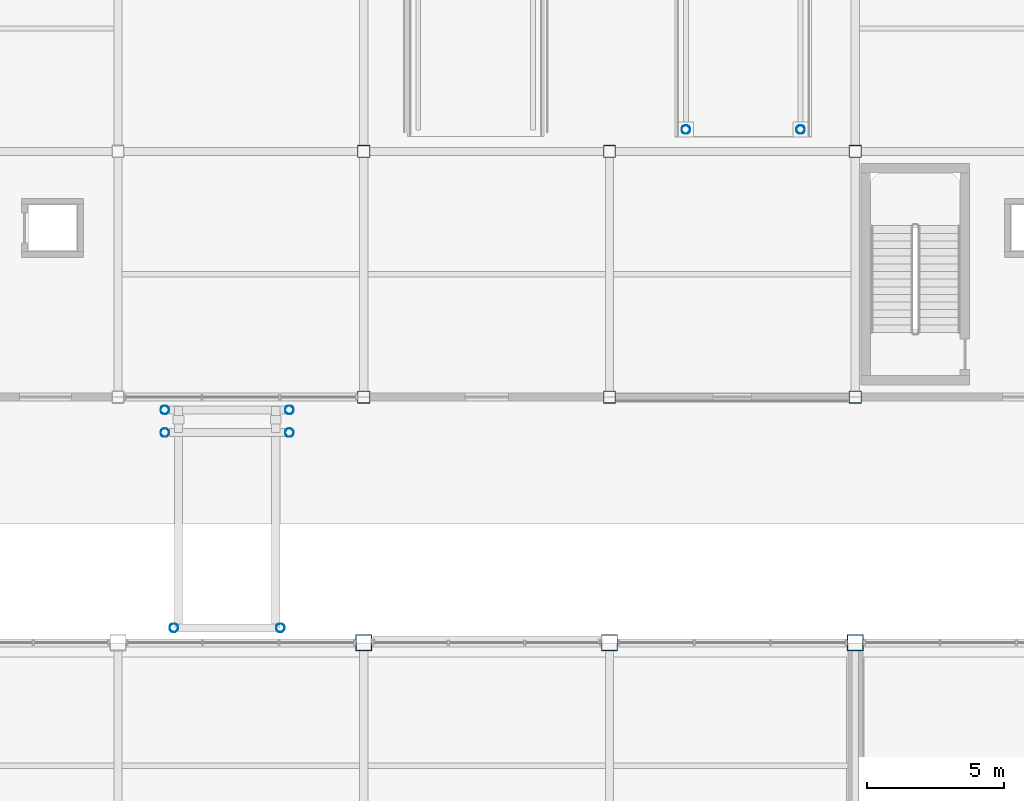
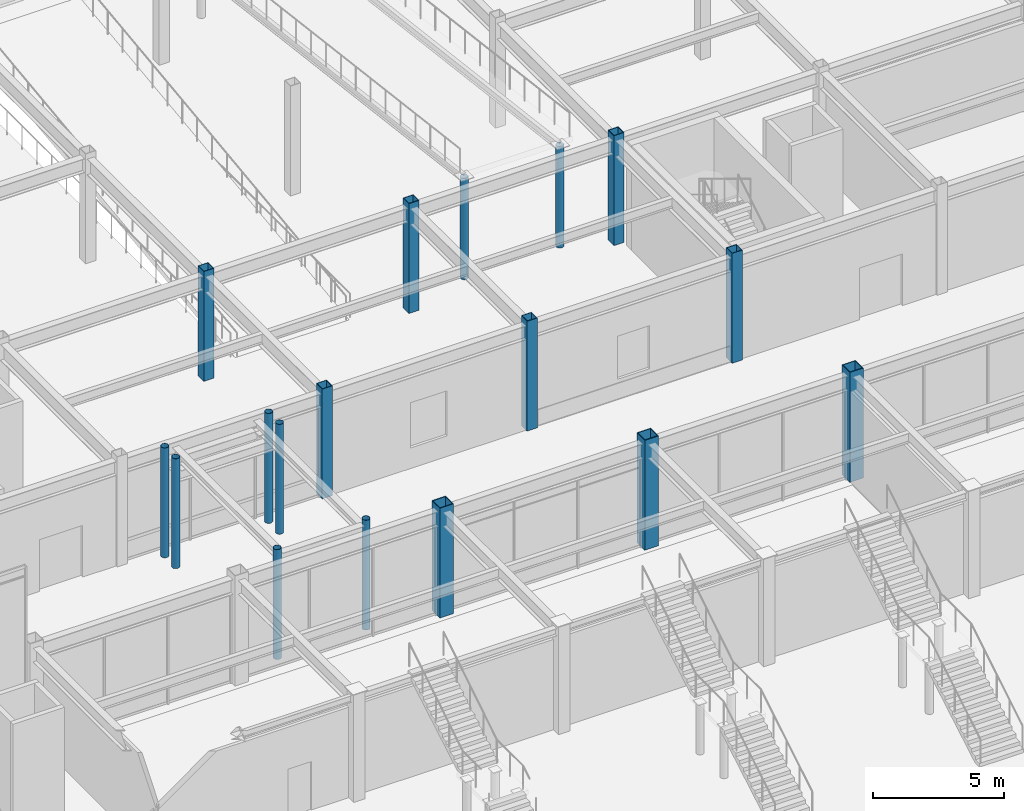
# One storey, part 18 of 123: 17 columns.
"""IFC4 building model written with IfcOpenShell, lengths in metres."""

from ifc_helpers import new_model, si_unit, direction, frame, origin, origin_2d, place, context, subcontext, project, spatial, hollow_rectangle, hollow_circle, extrude, material, material_profile, profile_set, type_object, element, save


model = new_model("IFC4")

# Units and contexts
model_context = context("Model", 3, precision=1e-05, world=origin(), true_north=direction((0.0, 1.0)))
body_context = subcontext(model_context, "Body", "Model", "MODEL_VIEW")
ifc_project = project(units=[si_unit("LENGTHUNIT", "METRE"), si_unit("AREAUNIT", "SQUARE_METRE"), si_unit("VOLUMEUNIT", "CUBIC_METRE"), si_unit("PLANEANGLEUNIT", "RADIAN"), si_unit("MASSUNIT", "GRAM", prefix="KILO")], contexts=[model_context])

# Site, building, storey
site_placement = place(None, origin())
site = spatial("IfcSite", under=ifc_project, at=site_placement, CompositionType="ELEMENT")
building_placement = place(site_placement, origin())
building = spatial("IfcBuilding", under=site, at=building_placement, Name="Suzunagisa Mobility Hub", CompositionType="ELEMENT")
storey_placement = place(building_placement, origin())
storey = spatial("IfcBuildingStorey", under=building, at=storey_placement, Name="L00", CompositionType="ELEMENT", Elevation=0.0)

# Columns
ifc_material = material(Name="Steel SN490B", Category="steel")
ifc_material_profile_1 = material_profile(ifc_material, hollow_rectangle(XDim=0.60009765625, YDim=0.60009765625, WallThickness=0.031982421875, at=origin_2d()), Name="BOX-600x600x32")
ifc_profile_set_1 = profile_set([ifc_material_profile_1], Name="Steel SN490B")
column_type_1 = type_object("IfcColumnType", Name="Steel Column CL-05 BOX-600x600x32", PredefinedType="COLUMN", material=ifc_profile_set_1)
for number, where, z_axis, x_axis, name in (
    (1, (72.0, 71.0, 0.0), (0.0, 0.0, 1.0), (1.0, 0.0, 0.0), "L00 Column 153"),
    (2, (81.0, 71.0, 0.0), (0.0, 0.0, 1.0), (1.0, 0.0, 0.0), "L00 Column 169"),
    (3, (90.0, 71.0, 0.0), (0.0, 0.0, 1.0), (1.0, 0.0, 0.0), "L00 Column 185"),
):
    element("IfcColumn", number, at=place(storey_placement, frame(where, z_axis=z_axis, x_axis=x_axis)), inside=storey, type_object=column_type_1, Name=name, PredefinedType="COLUMN", context=body_context, shape_type="SweptSolid", body=[
        extrude(hollow_rectangle(XDim=0.60009765625, YDim=0.60009765625, WallThickness=0.031982421875, at=origin_2d()), origin(), (0.0, 0.0, 1.0), 5.10009765625),
    ])
ifc_material_profile_2 = material_profile(ifc_material, hollow_circle(Radius=0.1591796875, WallThickness=0.01025390625, at=origin_2d()), Name="CHS-318.5x10.3")
ifc_profile_set_2 = profile_set([ifc_material_profile_2], Name="Steel SN490B")
column_type_2 = type_object("IfcColumnType", Name="Steel Column CL-09 CHS-318.5x10.3", PredefinedType="COLUMN", material=ifc_profile_set_2)
for number, where, z_axis, x_axis, name in (
    (4, (64.719970703125, 78.699951171875, 0.0), (0.0, 0.0, 1.0), (1.0, 0.0, 0.0), "L00 Column 143"),
    (5, (64.719970703125, 79.530029296875, 0.0), (0.0, 0.0, 1.0), (1.0, 0.0, 0.0), "L00 Column 144"),
    (6, (65.050048828125, 71.550048828125, 0.0), (0.0, 0.0, 1.0), (1.0, 0.0, 0.0), "L00 Column 145"),
    (7, (68.949951171875, 71.550048828125, 0.0), (0.0, 0.0, 1.0), (1.0, 0.0, 0.0), "L00 Column 147"),
    (8, (69.280029296875, 78.699951171875, 0.0), (0.0, 0.0, 1.0), (1.0, 0.0, 0.0), "L00 Column 148"),
    (9, (69.280029296875, 79.530029296875, 0.0), (0.0, 0.0, 1.0), (1.0, 0.0, 0.0), "L00 Column 149"),
):
    element("IfcColumn", number, at=place(storey_placement, frame(where, z_axis=z_axis, x_axis=x_axis)), inside=storey, type_object=column_type_2, Name=name, PredefinedType="COLUMN", context=body_context, shape_type="SweptSolid", body=[
        extrude(hollow_circle(Radius=0.1591796875, WallThickness=0.01025390625, at=origin_2d()), origin(), (0.0, 0.0, 1.0), 5.10009765625),
    ])
for number, where, z_axis, x_axis, name in (
    (10, (83.800048828125, 89.800048828125, 0.0), (0.0, 0.0, 1.0), (1.0, 0.0, 0.0), "L00 Column 176"),
    (11, (88.0, 89.800048828125, 0.0), (0.0, 0.0, 1.0), (1.0, 0.0, 0.0), "L00 Column 178"),
):
    element("IfcColumn", number, at=place(storey_placement, frame(where, z_axis=z_axis, x_axis=x_axis)), inside=storey, type_object=column_type_2, Name=name, PredefinedType="COLUMN", context=body_context, shape_type="SweptSolid", body=[
        extrude(hollow_circle(Radius=0.1591796875, WallThickness=0.01025390625, at=origin_2d()), origin(), (0.0, 0.0, 1.0), 4.699951171875),
    ])
ifc_material_profile_3 = material_profile(ifc_material, hollow_rectangle(XDim=0.449951171875, YDim=0.449951171875, WallThickness=0.02197265625, at=origin_2d()), Name="BCR-450x450x22")
ifc_profile_set_3 = profile_set([ifc_material_profile_3], Name="Steel SN490B")
column_type_3 = type_object("IfcColumnType", Name="Steel Column CL-17 BCR-450x450x22", PredefinedType="COLUMN", material=ifc_profile_set_3)
for number, where, z_axis, x_axis, name in (
    (12, (72.0, 80.0, 0.0), (0.0, 0.0, 1.0), (1.0, 0.0, 0.0), "L00 Column 154"),
    (13, (72.0, 89.0, 0.0), (0.0, 0.0, 1.0), (1.0, 0.0, 0.0), "L00 Column 155"),
    (14, (81.0, 80.0, 0.0), (0.0, 0.0, 1.0), (1.0, 0.0, 0.0), "L00 Column 171"),
    (15, (81.0, 89.0, 0.0), (0.0, 0.0, 1.0), (1.0, 0.0, 0.0), "L00 Column 172"),
    (16, (90.0, 80.0, 0.0), (0.0, 0.0, 1.0), (1.0, 0.0, 0.0), "L00 Column 186"),
    (17, (90.0, 89.0, 0.0), (0.0, 0.0, 1.0), (1.0, 0.0, 0.0), "L00 Column 187"),
):
    element("IfcColumn", number, at=place(storey_placement, frame(where, z_axis=z_axis, x_axis=x_axis)), inside=storey, type_object=column_type_3, Name=name, PredefinedType="COLUMN", context=body_context, shape_type="SweptSolid", body=[
        extrude(hollow_rectangle(XDim=0.449951171875, YDim=0.449951171875, WallThickness=0.02197265625, at=origin_2d()), origin(), (0.0, 0.0, 1.0), 5.10009765625),
    ])

save(model, "model.ifc")
